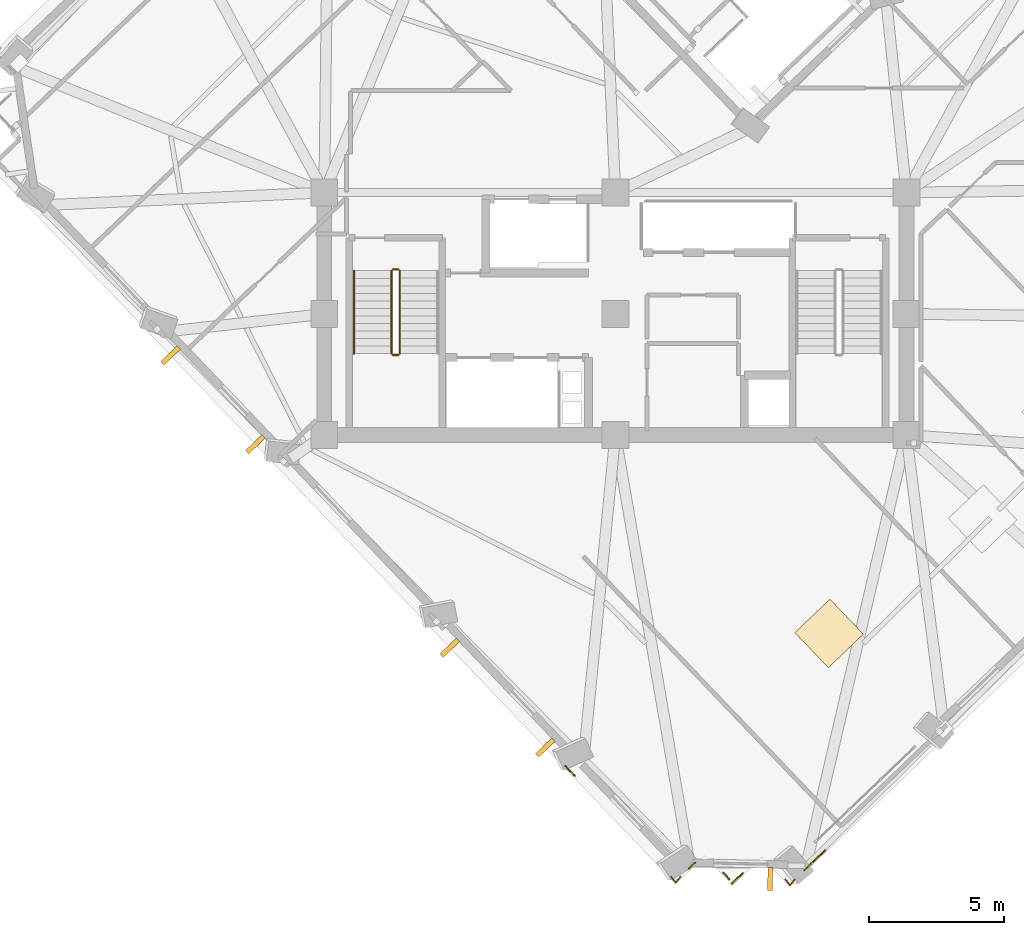
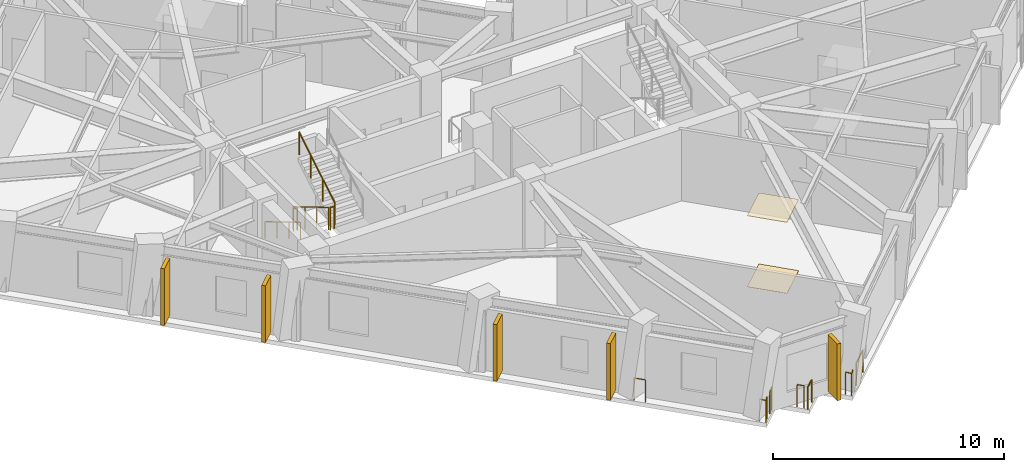
# One storey, part 13 of 17: 12 railings, 5 shading devices, 2 coverings.
"""IFC4 building model written with IfcOpenShell, lengths in metres."""

from ifc_helpers import new_model, si_unit, direction, frame, origin, origin_2d, place, context, subcontext, project, spatial, rectangle, circle, extrude, material, layer, layer_set, type_object, element, save


model = new_model("IFC4")

# Units and contexts
model_context = context("Model", 3, precision=1e-05, world=origin(), true_north=direction((0.0, 1.0)))
body_context = subcontext(model_context, "Body", "Model", "MODEL_VIEW")
ifc_project = project(units=[si_unit("LENGTHUNIT", "METRE"), si_unit("AREAUNIT", "SQUARE_METRE"), si_unit("VOLUMEUNIT", "CUBIC_METRE"), si_unit("PLANEANGLEUNIT", "RADIAN"), si_unit("MASSUNIT", "GRAM", prefix="KILO")], contexts=[model_context])

# Site, building, storey
site_placement = place(None, origin())
site = spatial("IfcSite", under=ifc_project, at=site_placement, CompositionType="ELEMENT")
building_placement = place(site_placement, origin())
building = spatial("IfcBuilding", under=site, at=building_placement, Name="Gaonmaruhae Medical Tower", CompositionType="ELEMENT")
storey_placement = place(building_placement, frame((0.0, 0.0, 211.199951171875)))
storey = spatial("IfcBuildingStorey", under=building, at=storey_placement, Name="L50", CompositionType="ELEMENT", Elevation=211.199951171875)

# Coverings
ifc_material_1 = material(Name="Acoustic mineral ceiling tile", Category="finish")
ifc_layer_1 = layer(ifc_material_1, 0.02490234375)
ifc_layer_set_1 = layer_set([ifc_layer_1], Name="Acoustic mineral ceiling tile")
covering_type_1 = type_object("IfcCoveringType", Name="CLG-01 Antimicrobial Acoustic Mineral Ceiling", PredefinedType="CEILING", material=ifc_layer_set_1)
covering_1_placement = place(storey_placement, frame((32.734619140625, 0.440673828125, 3.755126953125), z_axis=(0.0, 0.0, 1.0), x_axis=(0.72296714591, 0.690882411077, 0.0)))
element("IfcCovering", 1, at=covering_1_placement, inside=storey, type_object=covering_type_1, Name="L50 Clinical Room Acoustic Ceiling 2", PredefinedType="CEILING", context=body_context, shape_type="SweptSolid", body=[
    extrude(rectangle(XDim=1.800048828125, YDim=1.800048828125, at=origin_2d()), origin(), (0.0, 0.0, 1.0), 0.02490234375),
])
ifc_material_2 = material(Name="Seamless clinical vinyl flooring", Category="finish")
ifc_layer_2 = layer(ifc_material_2, 0.014892578125)
ifc_layer_set_2 = layer_set([ifc_layer_2], Name="Seamless clinical vinyl flooring")
covering_type_2 = type_object("IfcCoveringType", Name="FLR-01 Seamless Clinical Antistatic Vinyl Flooring", PredefinedType="FLOORING", material=ifc_layer_set_2)
covering_2_placement = place(storey_placement, frame((32.734619140625, 0.440673828125, 0.0), z_axis=(0.0, 0.0, 1.0), x_axis=(0.72296714591, 0.690882411077, 0.0)))
element("IfcCovering", 2, at=covering_2_placement, inside=storey, type_object=covering_type_2, Name="L50 Clinical Room Vinyl Flooring 2", PredefinedType="FLOORING", context=body_context, shape_type="SweptSolid", body=[
    extrude(rectangle(XDim=1.800048828125, YDim=1.800048828125, at=origin_2d()), origin(), (0.0, 0.0, 1.0), 0.014892578125),
])

# Railings
ifc_material_3 = material(Name="Stainless steel 316L and laminated safety glass", Category="steel")
ifc_layer_3 = layer(ifc_material_3, 0.080078125)
ifc_layer_set_3 = layer_set([ifc_layer_3], Name="Stainless steel 316L and laminated safety glass")
railing_type_1 = type_object("IfcRailingType", Name="GD-120 Outdoor Terrace Safety Glass & Steel Balustrade", PredefinedType="BALUSTRADE", material=ifc_layer_set_3)
railing_1_placement = place(storey_placement, frame((32.58740234375, -7.607421875, 0.0)))
element("IfcRailing", 3, at=railing_1_placement, inside=storey, type_object=railing_type_1, Name="L50 Perimeter Slab Edge Safety Balustrade 01", PredefinedType="BALUSTRADE", context=body_context, shape_type="SweptSolid", body=[
    extrude(circle(Radius=0.02392578125, at=origin_2d()), frame((0.0, 0.0, 1.17578125), z_axis=(-0.722947189818, -0.69090329333, 0.0), x_axis=(0.69090329333, -0.722947189818, 0.0)), (0.0, 0.0, 1.0), 1.05908203125),
    extrude(circle(Radius=0.02099609375, at=origin_2d()), origin(), (0.0, 0.0, 1.0), 1.15185546875),
    extrude(circle(Radius=0.02099609375, at=origin_2d()), frame((-0.765625, -0.731689453125, 0.0)), (0.0, 0.0, 1.0), 1.15185546875),
])
railing_2_placement = place(storey_placement, frame((29.528076171875, -8.456298828125, 0.0)))
element("IfcRailing", 4, at=railing_2_placement, inside=storey, type_object=railing_type_1, Name="L50 Perimeter Slab Edge Safety Balustrade 02", PredefinedType="BALUSTRADE", context=body_context, shape_type="SweptSolid", body=[
    extrude(circle(Radius=0.02392578125, at=origin_2d()), frame((0.0, 0.0, 1.17578125), z_axis=(-0.722840661217, -0.691014745494, 0.0), x_axis=(0.691014745494, -0.722840661217, 0.0)), (0.0, 0.0, 1.0), 0.56005859375),
    extrude(circle(Radius=0.02099609375, at=origin_2d()), origin(), (0.0, 0.0, 1.0), 1.15185546875),
    extrude(circle(Radius=0.02099609375, at=origin_2d()), frame((-0.40478515625, -0.386962890625, 0.0)), (0.0, 0.0, 1.0), 1.15185546875),
])
railing_3_placement = place(storey_placement, frame((29.03271484375, -8.676025390625, 0.0)))
element("IfcRailing", 5, at=railing_3_placement, inside=storey, type_object=railing_type_1, Name="L50 Perimeter Slab Edge Safety Balustrade 03", PredefinedType="BALUSTRADE", context=body_context, shape_type="SweptSolid", body=[
    extrude(circle(Radius=0.02392578125, at=origin_2d()), frame((0.0, 0.0, 1.17578125), z_axis=(-0.690849086611, 0.722998989992, 0.0), x_axis=(-0.722998989992, -0.690849086611, 0.0)), (0.0, 0.0, 1.0), 0.326416015625),
    extrude(circle(Radius=0.02099609375, at=origin_2d()), origin(), (0.0, 0.0, 1.0), 1.15185546875),
    extrude(circle(Radius=0.02099609375, at=origin_2d()), frame((-0.2255859375, 0.236083984375, 0.0)), (0.0, 0.0, 1.0), 1.15185546875),
])
railing_4_placement = place(storey_placement, frame((27.768798828125, -8.062744140625, 0.0)))
element("IfcRailing", 6, at=railing_4_placement, inside=storey, type_object=railing_type_1, Name="L50 Perimeter Slab Edge Safety Balustrade 04", PredefinedType="BALUSTRADE", context=body_context, shape_type="SweptSolid", body=[
    extrude(circle(Radius=0.02392578125, at=origin_2d()), frame((0.0, 0.0, 1.17578125), z_axis=(-0.722998989992, -0.690849086611, 0.0), x_axis=(0.690849086611, -0.722998989992, 0.0)), (0.0, 0.0, 1.0), 0.326416015625),
    extrude(circle(Radius=0.02099609375, at=origin_2d()), origin(), (0.0, 0.0, 1.0), 1.15185546875),
    extrude(circle(Radius=0.02099609375, at=origin_2d()), frame((-0.236083984375, -0.2255859375, 0.0)), (0.0, 0.0, 1.0), 1.15185546875),
])
railing_5_placement = place(storey_placement, frame((23.297607421875, -4.845703125, 0.0)))
element("IfcRailing", 7, at=railing_5_placement, inside=storey, type_object=railing_type_1, Name="L50 Perimeter Slab Edge Safety Balustrade 05", PredefinedType="BALUSTRADE", context=body_context, shape_type="SweptSolid", body=[
    extrude(circle(Radius=0.02392578125, at=origin_2d()), frame((0.0, 0.0, 1.17578125), z_axis=(-0.690934256131, 0.722917598143, 0.0), x_axis=(-0.722917598143, -0.690934256131, 0.0)), (0.0, 0.0, 1.0), 0.51904296875),
    extrude(circle(Radius=0.02099609375, at=origin_2d()), origin(), (0.0, 0.0, 1.0), 1.15185546875),
    extrude(circle(Radius=0.02099609375, at=origin_2d()), frame((-0.358642578125, 0.375244140625, 0.0)), (0.0, 0.0, 1.0), 1.15185546875),
])
for number, where, name in (
    (8, (31.4609375, -8.68408203125, 0.0), "L50 Perimeter Corner Safety Balustrade 14"),
    (9, (27.219482421875, -8.587890625, 0.0), "L50 Perimeter Corner Safety Balustrade 15"),
):
    element("IfcRailing", number, at=place(storey_placement, frame(where)), inside=storey, type_object=railing_type_1, Name=name, PredefinedType="BALUSTRADE", context=body_context, shape_type="SweptSolid", body=[
        extrude(circle(Radius=0.02392578125, at=origin_2d()), frame((0.0, 0.0, 1.17578125), z_axis=(-0.63346927771, -0.773767842572, 0.0), x_axis=(0.773767842572, -0.63346927771, 0.0)), (0.0, 0.0, 1.0), 0.287109375),
        extrude(circle(Radius=0.02392578125, at=origin_2d()), frame((-0.181884765625, -0.22216796875, 1.17578125), z_axis=(-0.597684971012, 0.801731049309, 0.0), x_axis=(-0.801731049309, -0.597684971012, 0.0)), (0.0, 0.0, 1.0), 0.287109375),
        extrude(circle(Radius=0.02099609375, at=origin_2d()), origin(), (0.0, 0.0, 1.0), 1.15185546875),
        extrude(circle(Radius=0.02099609375, at=origin_2d()), frame((-0.181884765625, -0.22216796875, 0.0)), (0.0, 0.0, 1.0), 1.15185546875),
        extrude(circle(Radius=0.02099609375, at=origin_2d()), frame((-0.353515625, 0.008056640625, 0.0)), (0.0, 0.0, 1.0), 1.15185546875),
    ])
ifc_material_4 = material(Name="Stainless steel 304 handrail", Category="steel")
railing_type_2 = type_object("IfcRailingType", Name="HR-092 Continuous Stainless Steel Stair Handrail", PredefinedType="HANDRAIL", material=ifc_material_4)
railing_6_placement = place(storey_placement, frame((15.10009765625, 13.89990234375, 0.166748046875)))
element("IfcRailing", 10, at=railing_6_placement, inside=storey, type_object=railing_type_2, Name="L50 ST-01 stair handrail 1", PredefinedType="HANDRAIL", context=body_context, shape_type="SweptSolid", body=[
    extrude(circle(Radius=0.02392578125, at=origin_2d()), frame((0.0, 0.0, 0.8759765625), z_axis=(0.0, -0.859290745958, 0.51148745235), x_axis=(1.0, 0.0, 0.0)), (0.0, 0.0, 1.0), 3.584228515625),
    extrude(circle(Radius=0.02099609375, at=origin_2d()), origin(), (0.0, 0.0, 1.0), 0.851806640625),
    extrude(circle(Radius=0.02099609375, at=origin_2d()), frame((0.0, -1.026611328125, 0.611083984375)), (0.0, 0.0, 1.0), 0.851806640625),
    extrude(circle(Radius=0.02099609375, at=origin_2d()), frame((0.0, -2.05322265625, 1.22216796875)), (0.0, 0.0, 1.0), 0.851806640625),
    extrude(circle(Radius=0.02099609375, at=origin_2d()), frame((0.0, -3.079833984375, 1.833251953125)), (0.0, 0.0, 1.0), 0.851806640625),
])

# Shading devices
ifc_material_5 = material(Name="Pigmented coral precast concrete C45/55", Category="concrete")
shading_device_type = type_object("IfcShadingDeviceType", Name="SD-FIN1 Tower Vertical Coral Precast Shading Fin", PredefinedType="USERDEFINED", material=ifc_material_5)
for number, where, z_axis, x_axis, name in (
    (11, (11.447021484375, 7.461181640625, 0.132568359375), (0.0, 0.0, 1.0), (-0.690895029129, 0.722955087627, 0.0), "L50 Vertical Coral Precast Shading Fin W02"),
    (12, (8.296142578125, 10.75830078125, 0.132568359375), (0.0, 0.0, 1.0), (-0.690895029129, 0.722955087627, 0.0), "L50 Vertical Coral Precast Shading Fin W02B"),
    (13, (22.200927734375, -3.792236328125, 0.132568359375), (0.0, 0.0, 1.0), (-0.690882411077, 0.72296714591, 0.0), "L50 Vertical Coral Precast Shading Fin W04"),
    (14, (18.66015625, -0.087158203125, 0.132568359375), (0.0, 0.0, 1.0), (-0.690882411077, 0.72296714591, 0.0), "L50 Vertical Coral Precast Shading Fin W04B"),
    (15, (30.545654296875, -8.6708984375, 0.132568359375), (0.0, 0.0, 1.0), (-0.999743005139, 0.022669884769, 0.0), "L50 Vertical Coral Precast Shading Fin W06"),
):
    element("IfcShadingDevice", number, at=place(storey_placement, frame(where, z_axis=z_axis, x_axis=x_axis)), inside=storey, type_object=shading_device_type, Name=name, ObjectType="FIN", PredefinedType="USERDEFINED", context=body_context, shape_type="SweptSolid", body=[
        extrude(rectangle(XDim=0.179931640625, YDim=0.85009765625, at=origin_2d()), origin(), (0.0, 0.0, 1.0), 3.0),
    ])

# Railings
ifc_material_6 = material(Name="Stainless steel 304 balustrade", Category="steel")
railing_type_3 = type_object("IfcRailingType", Name="SG-112 Stair Well & Ramp Void Safety Balustrade", PredefinedType="BALUSTRADE", material=ifc_material_6)
railing_7_placement = place(storey_placement, frame((16.5, 13.89990234375, 0.166748046875)))
element("IfcRailing", 16, at=railing_7_placement, inside=storey, type_object=railing_type_3, Name="L50 ST-01 stair guard 1", PredefinedType="BALUSTRADE", context=body_context, shape_type="SweptSolid", body=[
    extrude(circle(Radius=0.02392578125, at=origin_2d()), frame((0.0, 0.0, 1.17578125), z_axis=(0.0, -0.859290745958, 0.51148745235), x_axis=(1.0, 0.0, 0.0)), (0.0, 0.0, 1.0), 3.584228515625),
    extrude(circle(Radius=0.02099609375, at=origin_2d()), origin(), (0.0, 0.0, 1.0), 1.15185546875),
    extrude(circle(Radius=0.02099609375, at=origin_2d()), frame((0.0, -1.026611328125, 0.611083984375)), (0.0, 0.0, 1.0), 1.15185546875),
    extrude(circle(Radius=0.02099609375, at=origin_2d()), frame((0.0, -2.05322265625, 1.22216796875)), (0.0, 0.0, 1.0), 1.15185546875),
    extrude(circle(Radius=0.02099609375, at=origin_2d()), frame((0.0, -3.079833984375, 1.833251953125)), (0.0, 0.0, 1.0), 1.15185546875),
])
railing_8_placement = place(storey_placement, frame((16.550048828125, 10.77001953125, 2.0)))
element("IfcRailing", 17, at=railing_8_placement, inside=storey, type_object=railing_type_3, Name="L50 ST-01 stair guard 2", PredefinedType="BALUSTRADE", context=body_context, shape_type="SweptSolid", body=[
    extrude(circle(Radius=0.02392578125, at=origin_2d()), frame((0.0, 0.0, 1.17578125), z_axis=(1.0, 0.0, 0.0), x_axis=(0.0, 1.0, 0.0)), (0.0, 0.0, 1.0), 0.199951171875),
    extrude(circle(Radius=0.02099609375, at=origin_2d()), origin(), (0.0, 0.0, 1.0), 1.15185546875),
    extrude(circle(Radius=0.02099609375, at=origin_2d()), frame((0.199951171875, 0.0, 0.0)), (0.0, 0.0, 1.0), 1.15185546875),
])
railing_9_placement = place(storey_placement, frame((16.800048828125, 10.820068359375, 2.166748046875)))
element("IfcRailing", 18, at=railing_9_placement, inside=storey, type_object=railing_type_3, Name="L50 ST-01 stair guard 3", PredefinedType="BALUSTRADE", context=body_context, shape_type="SweptSolid", body=[
    extrude(circle(Radius=0.02392578125, at=origin_2d()), frame((0.0, 0.0, 1.17578125), z_axis=(0.0, 0.859290745958, 0.51148745235), x_axis=(-1.0, 0.0, 0.0)), (0.0, 0.0, 1.0), 3.584228515625),
    extrude(circle(Radius=0.02099609375, at=origin_2d()), origin(), (0.0, 0.0, 1.0), 1.15185546875),
    extrude(circle(Radius=0.02099609375, at=origin_2d()), frame((0.0, 1.026611328125, 0.611083984375)), (0.0, 0.0, 1.0), 1.15185546875),
    extrude(circle(Radius=0.02099609375, at=origin_2d()), frame((0.0, 2.05322265625, 1.22216796875)), (0.0, 0.0, 1.0), 1.15185546875),
    extrude(circle(Radius=0.02099609375, at=origin_2d()), frame((0.0, 3.079833984375, 1.833251953125)), (0.0, 0.0, 1.0), 1.15185546875),
])
railing_10_placement = place(storey_placement, frame((16.550048828125, 13.949951171875, 0.0)))
element("IfcRailing", 19, at=railing_10_placement, inside=storey, type_object=railing_type_3, Name="L50 ST-01 stair guard 4", PredefinedType="BALUSTRADE", context=body_context, shape_type="SweptSolid", body=[
    extrude(circle(Radius=0.02392578125, at=origin_2d()), frame((0.0, 0.0, 1.17578125), z_axis=(1.0, 0.0, 0.0), x_axis=(0.0, 1.0, 0.0)), (0.0, 0.0, 1.0), 0.199951171875),
    extrude(circle(Radius=0.02099609375, at=origin_2d()), origin(), (0.0, 0.0, 1.0), 1.15185546875),
    extrude(circle(Radius=0.02099609375, at=origin_2d()), frame((0.199951171875, 0.0, 0.0)), (0.0, 0.0, 1.0), 1.15185546875),
])

save(model, "model.ifc")
